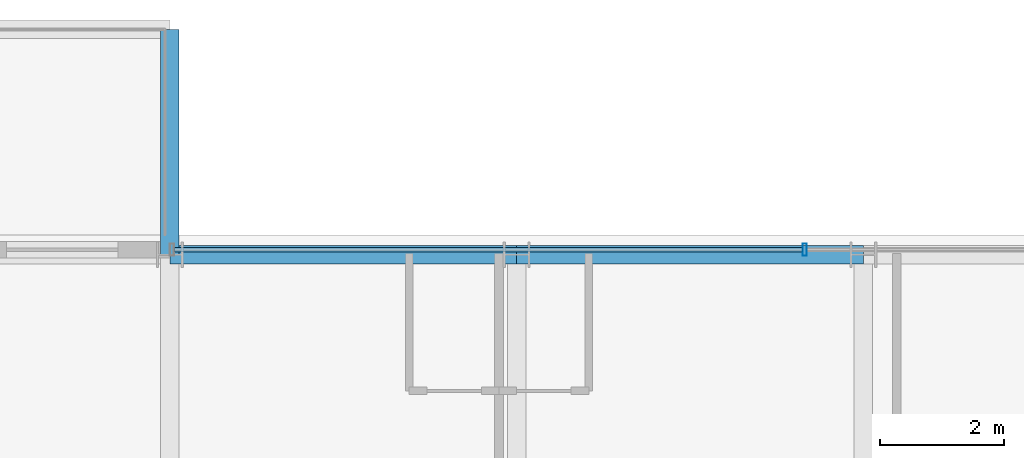
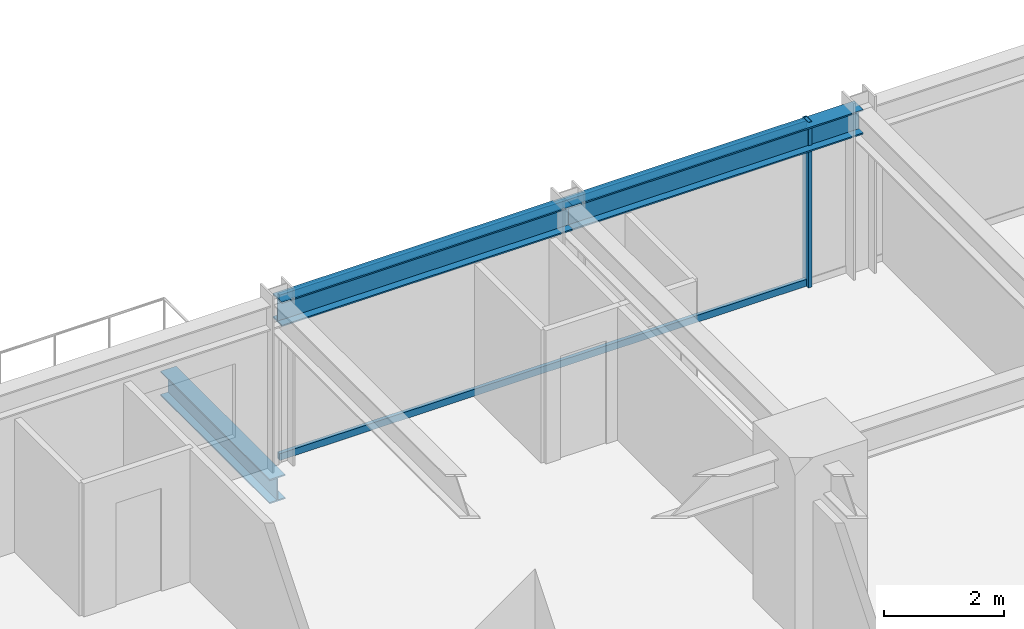
# One storey, part 29 of 42: 3 beams, 3 members, 1 element without a shape of its own.
"""IFC4 building model written with IfcOpenShell, lengths in metres."""

from ifc_helpers import new_model, si_unit, direction, frame, origin, origin_2d, place, context, subcontext, project, spatial, hollow_rectangle, i_section, extrude, source, transform, mapped, material, material_profile, profile_set, type_object, element, aggregate, save


model = new_model("IFC4")

# Units and contexts
model_context = context("Model", 3, precision=1e-05, world=origin(), true_north=direction((0.0, 1.0)))
body_context = subcontext(model_context, "Body", "Model", "MODEL_VIEW")
ifc_project = project(units=[si_unit("LENGTHUNIT", "METRE"), si_unit("AREAUNIT", "SQUARE_METRE"), si_unit("VOLUMEUNIT", "CUBIC_METRE"), si_unit("PLANEANGLEUNIT", "RADIAN"), si_unit("MASSUNIT", "GRAM", prefix="KILO")], contexts=[model_context])

# Site, building, storey
site_placement = place(None, origin())
site = spatial("IfcSite", under=ifc_project, at=site_placement, CompositionType="ELEMENT")
building_placement = place(site_placement, origin())
building = spatial("IfcBuilding", under=site, at=building_placement, Name="Nahalor Promenade Grand Hotel", CompositionType="ELEMENT")
storey_placement = place(building_placement, frame((0.0, 0.0, 61.60009765625)))
storey = spatial("IfcBuildingStorey", under=building, at=storey_placement, Name="L14", CompositionType="ELEMENT", Elevation=61.60009765625)

# Beams
ifc_material_1 = material(Name="Steel S355JR", Category="steel")
ifc_material_profile_1 = material_profile(ifc_material_1, i_section(OverallWidth=0.3, OverallDepth=0.5, WebThickness=0.0145, FlangeThickness=0.028, at=origin_2d()), Name="HEB 500")
ifc_profile_set_1 = profile_set([ifc_material_profile_1], Name="Steel S355JR")
beam_type_1 = type_object("IfcBeamType", Name="Beam-Outrigger-HEB500", PredefinedType="BEAM", material=ifc_profile_set_1)
shared_shape_1 = source(origin(), body_context, "Body", "SweptSolid", [
    extrude(i_section(OverallWidth=0.3, OverallDepth=0.5, WebThickness=0.0145, FlangeThickness=0.028, at=origin_2d()), origin(), (0.0, 0.0, 1.0), 3.639892578125),
])
beam_1_placement = place(storey_placement, frame((-8.39990234375, 25.080078125, -0.530029296875), z_axis=(0.0, 1.0, 0.0), x_axis=(-1.0, 0.0, 0.0)))
element("IfcBeam", 1, at=beam_1_placement, inside=storey, type_object=beam_type_1, Name="BM-L14-BC-01-2", PredefinedType="BEAM", context=body_context, shape_type="MappedRepresentation", body=[
    mapped(shared_shape_1, transform((0.0, 0.0, 0.0), scale=1.0)),
])
ifc_material_profile_2 = material_profile(ifc_material_1, i_section(OverallWidth=0.3, OverallDepth=0.5, WebThickness=0.0145, FlangeThickness=0.028, at=origin_2d()), Name="HEB 500")
ifc_profile_set_2 = profile_set([ifc_material_profile_2], Name="Steel S355JR")
beam_type_2 = type_object("IfcBeamType", Name="Beam-Spandrel-HEB500", PredefinedType="SPANDREL", material=ifc_profile_set_2)
shared_shape_2 = source(origin(), body_context, "Body", "SweptSolid", [
    extrude(i_section(OverallWidth=0.3, OverallDepth=0.5, WebThickness=0.0145, FlangeThickness=0.028, at=origin_2d()), origin(), (0.0, 0.0, 1.0), 5.599853515625),
])
beam_2_placement = place(storey_placement, frame((-8.39990234375, 25.080078125, 3.119873046875), z_axis=(1.0, 0.0, 0.0), x_axis=(0.0, 1.0, 0.0)))
element("IfcBeam", 2, at=beam_2_placement, inside=storey, type_object=beam_type_2, Name="BM-L14-SP-N-1", PredefinedType="SPANDREL", context=body_context, shape_type="MappedRepresentation", body=[
    mapped(shared_shape_2, transform((0.0, 0.0, 0.0), scale=1.0)),
])
shared_shape_3 = source(origin(), body_context, "Body", "SweptSolid", [
    extrude(i_section(OverallWidth=0.3, OverallDepth=0.5, WebThickness=0.0145, FlangeThickness=0.028, at=origin_2d()), origin(), (0.0, 0.0, 1.0), 5.60009765625),
])
beam_3_placement = place(storey_placement, frame((-2.800048828125, 25.080078125, 3.119873046875), z_axis=(1.0, 0.0, 0.0), x_axis=(0.0, 1.0, 0.0)))
element("IfcBeam", 3, at=beam_3_placement, inside=storey, type_object=beam_type_2, Name="BM-L14-SP-N-2", PredefinedType="SPANDREL", context=body_context, shape_type="MappedRepresentation", body=[
    mapped(shared_shape_3, transform((0.0, 0.0, 0.0), scale=1.0)),
])

# Curtain wall, members
ifc_material_2 = material(Name="Anodised Bronze Aluminium EN AW-6063 T6", Category="aluminium")
curtain_wall_type = type_object("IfcCurtainWallType", Name="CW3 Elliptical-Void Collar Unitised Curtain Wall", PredefinedType="USERDEFINED", material=ifc_material_2)
curtain_wall_placement = place(storey_placement, origin())
curtain_wall = element("IfcCurtainWall", 4, at=curtain_wall_placement, inside=storey, type_object=curtain_wall_type, Name="L14 Curtain Wall CW-L14-N-3", ObjectType="UNITISED_CURTAIN_WALL", PredefinedType="USERDEFINED")
ifc_material_profile_3 = material_profile(ifc_material_2, hollow_rectangle(XDim=0.07, YDim=0.2, WallThickness=0.005, at=origin_2d()), Name="CWM 70x200x5")
ifc_profile_set_3 = profile_set([ifc_material_profile_3], Name="Anodised Bronze Aluminium EN AW-6063 T6")
member_type_1 = type_object("IfcMemberType", Name="CWM3 Void Collar Mullion 70x200", PredefinedType="MULLION", material=ifc_profile_set_3)
shared_shape_4 = source(origin(), body_context, "Body", "SweptSolid", [
    extrude(hollow_rectangle(XDim=0.07, YDim=0.2, WallThickness=0.005, at=origin_2d()), origin(), (0.0, 0.0, 1.0), 3.369873046875),
])
member_1_placement = place(storey_placement, frame((1.853271484375, 25.159912109375, 0.0), z_axis=(0.0, 0.0, 1.0), x_axis=(1.0, 0.0, 0.0)))
member_1 = element("IfcMember", 5, at=member_1_placement, type_object=member_type_1, Name="CW-L14-N-3 Mullion 1", PredefinedType="MULLION", context=body_context, shape_type="MappedRepresentation", body=[
    mapped(shared_shape_4, transform((0.0, 0.0, 0.0), scale=1.0)),
])
ifc_material_profile_4 = material_profile(ifc_material_2, hollow_rectangle(XDim=0.07, YDim=0.14, WallThickness=0.004, at=origin_2d()), Name="CWT 70x140x4")
ifc_profile_set_4 = profile_set([ifc_material_profile_4], Name="Anodised Bronze Aluminium EN AW-6063 T6")
member_type_2 = type_object("IfcMemberType", Name="CWT3 Void Collar Transom 70x140", PredefinedType="USERDEFINED", material=ifc_profile_set_4)
shared_shape_5 = source(origin(), body_context, "Body", "SweptSolid", [
    extrude(hollow_rectangle(XDim=0.07, YDim=0.14, WallThickness=0.004, at=origin_2d()), origin(), (0.0, 0.0, 1.0), 10.1484375),
])
member_2_placement = place(storey_placement, frame((-8.330078125, 25.159912109375, 0.06982421875), z_axis=(1.0, 0.0, 0.0), x_axis=(0.0, 1.0, 0.0)))
member_2 = element("IfcMember", 6, at=member_2_placement, type_object=member_type_2, Name="CW-L14-N-3 Transom 0-0", ObjectType="TRANSOM", PredefinedType="USERDEFINED", context=body_context, shape_type="MappedRepresentation", body=[
    mapped(shared_shape_5, transform((0.0, 0.0, 0.0), scale=1.0)),
])
member_3_placement = place(storey_placement, frame((-8.330078125, 25.159912109375, 3.2998046875), z_axis=(1.0, 0.0, 0.0), x_axis=(0.0, 1.0, 0.0)))
member_3 = element("IfcMember", 7, at=member_3_placement, type_object=member_type_2, Name="CW-L14-N-3 Transom 0-1", ObjectType="TRANSOM", PredefinedType="USERDEFINED", context=body_context, shape_type="MappedRepresentation", body=[
    mapped(shared_shape_5, transform((0.0, 0.0, 0.0), scale=1.0)),
])
aggregate(curtain_wall, [member_1, member_2, member_3])

save(model, "model.ifc")
